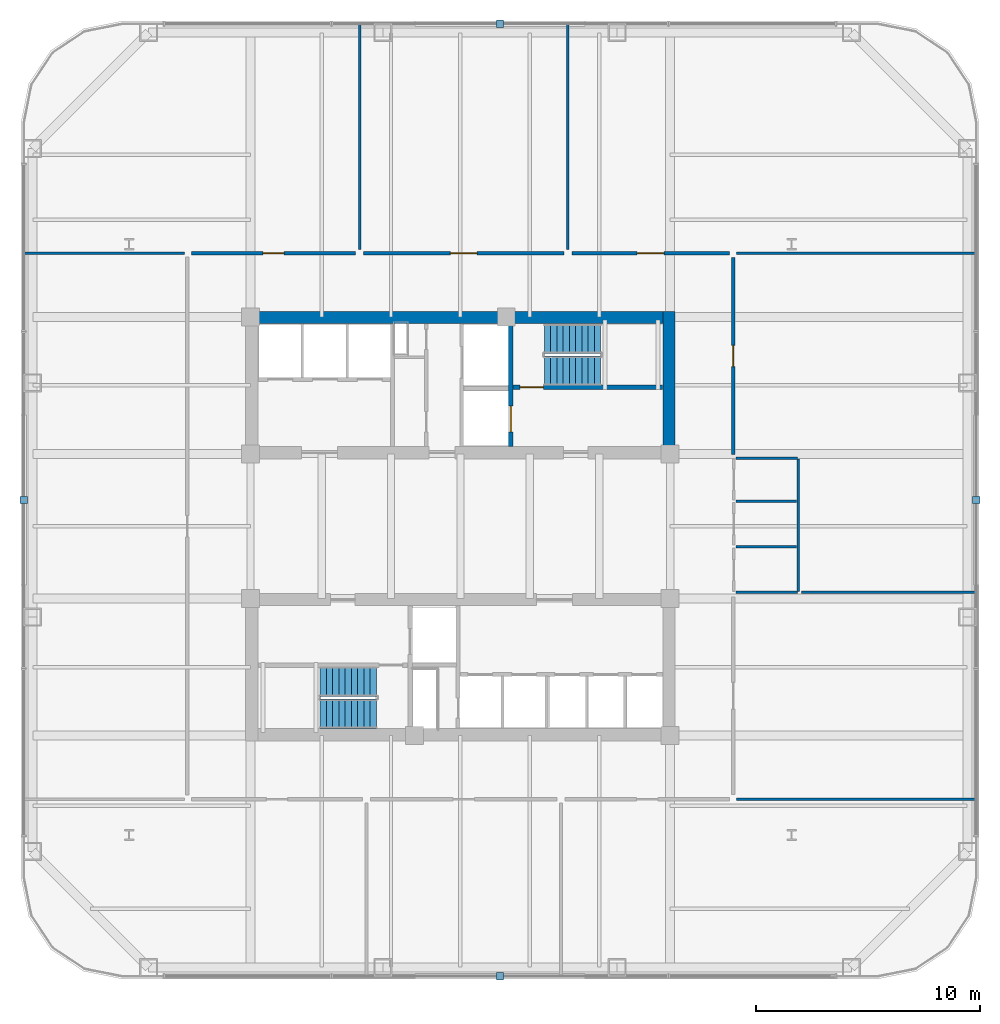
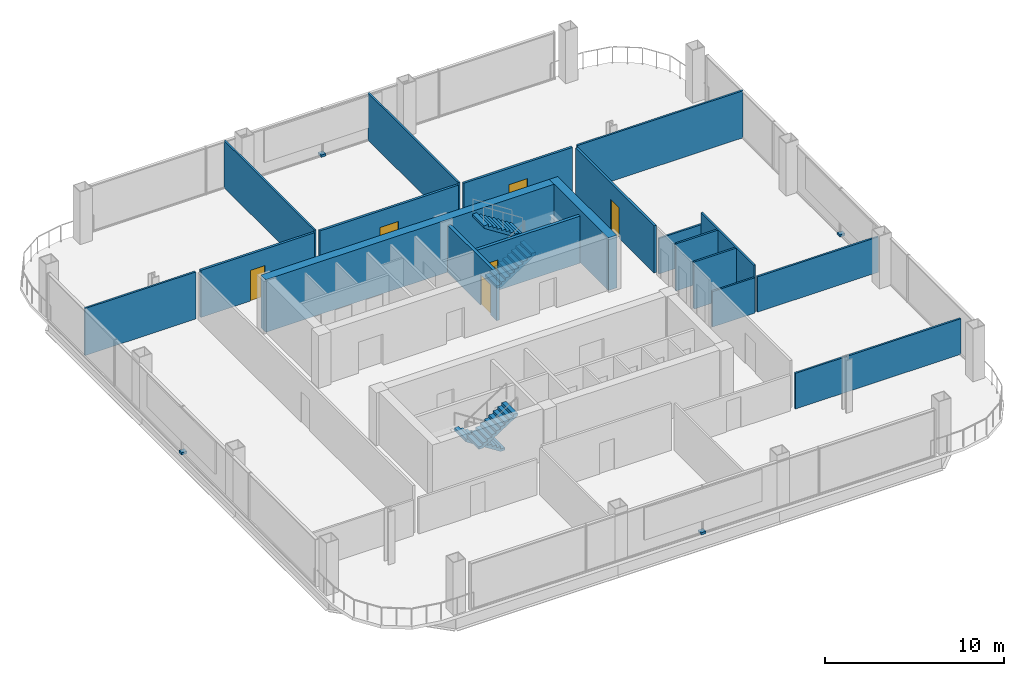
# One storey, part 21 of 24: 19 walls, 6 doors, 4 discrete accessories, 4 stair flights, 6 openings, 2 elements without a shape of their own.
"""IFC4 building model written with IfcOpenShell, lengths in metres."""

from ifc_helpers import new_model, si_unit, direction, frame, frame_2d, origin, origin_2d, place, context, subcontext, project, spatial, polyline, rectangle, outline, extrude, material, layer, layer_set, type_object, element, fill, aggregate, save


model = new_model("IFC4")

# Units and contexts
model_context = context("Model", 3, precision=1e-05, world=origin(), true_north=direction((0.0, 1.0)))
body_context = subcontext(model_context, "Body", "Model", "MODEL_VIEW")
ifc_project = project(units=[si_unit("LENGTHUNIT", "METRE"), si_unit("AREAUNIT", "SQUARE_METRE"), si_unit("VOLUMEUNIT", "CUBIC_METRE"), si_unit("PLANEANGLEUNIT", "RADIAN"), si_unit("MASSUNIT", "GRAM", prefix="KILO")], contexts=[model_context])

# Site, building, storey
site_placement = place(None, origin())
site = spatial("IfcSite", under=ifc_project, at=site_placement, CompositionType="ELEMENT")
building_placement = place(site_placement, origin())
building = spatial("IfcBuilding", under=site, at=building_placement, Name="Qhalaya Broadcast Tower", CompositionType="ELEMENT")
storey_placement = place(building_placement, frame((0.0, 0.0, 61.5)))
storey = spatial("IfcBuildingStorey", under=building, at=storey_placement, Name="L17", CompositionType="ELEMENT", Elevation=61.5)

# Wall, opening, door
ifc_material_1 = material(Name="Gypsum Acoustic Partition")
ifc_layer_1 = layer(ifc_material_1, 0.14990234375, Name="Gypsum Acoustic Partition")
ifc_layer_set_1 = layer_set([ifc_layer_1], Name="Gypsum Acoustic Partition")
wall_type_1 = type_object("IfcWallType", Name="Corridor & Tenancy Acoustic Partition 150", PredefinedType="PARTITIONING", material=ifc_layer_set_1)
wall_1_placement = place(storey_placement, frame((-12.02001953125, 12.800048828125, 0.0), z_axis=(0.0, 0.0, 1.0), x_axis=(1.0, 0.0, 0.0)))
wall_1 = element("IfcWall", 1, at=wall_1_placement, inside=storey, type_object=wall_type_1, Name="L17 Partition Wall W-COR-01", PredefinedType="PARTITIONING", context=body_context, shape_type="SweptSolid", body=[
    extrude(rectangle(XDim=7.340087890625, YDim=0.14990234375, at=frame_2d((3.669921875, 0.0))), origin(), (0.0, 0.0, 1.0), 3.219970703125),
])
opening_1_placement = place(wall_1_placement, frame((3.195068359375, 0.0, 0.0)))
opening_1 = element("IfcOpeningElement", 2, at=opening_1_placement, cuts=wall_1, Name="Opening D10", PredefinedType="OPENING", context=body_context, shape_type="SweptSolid", body=[
    extrude(rectangle(XDim=0.949951171875, YDim=2.10009765625, at=frame_2d((0.47509765625, 1.050048828125))), frame((0.0, 0.0869140625, 0.0), z_axis=(0.0, -1.0, 0.0), x_axis=(1.0, 0.0, 0.0)), (0.0, 0.0, 1.0), 0.173828125),
])
ifc_material_2 = material(Name="Timber Veneer Acoustic Door", Category="wood")
door_type_1 = type_object("IfcDoorType", Name="Cellular Office & Edit Booth Door D10", OperationType="NOTDEFINED", PredefinedType="DOOR", material=ifc_material_2)
door_1_placement = place(opening_1_placement, origin())
door_1 = element("IfcDoor", 3, at=door_1_placement, inside=storey, type_object=door_type_1, Name="L17 Door D-RM01", OperationType="SINGLE_SWING_LEFT", OverallHeight=2.10009765625, OverallWidth=0.949951171875, PredefinedType="DOOR", context=body_context, shape_type="SweptSolid", body=[
    extrude(rectangle(XDim=0.949951171875, YDim=2.10009765625, at=frame_2d((0.47509765625, 1.050048828125))), frame((0.0, 0.02490234375, 0.0), z_axis=(0.0, -1.0, 0.0), x_axis=(1.0, 0.0, 0.0)), (0.0, 0.0, 1.0), 0.050048828125),
])
fill(opening_1, door_1)

wall_2_placement = place(storey_placement, frame((-4.320068359375, 12.800048828125, 0.0), z_axis=(0.0, 0.0, 1.0), x_axis=(1.0, 0.0, 0.0)))
wall_2 = element("IfcWall", 4, at=wall_2_placement, inside=storey, type_object=wall_type_1, Name="L17 Partition Wall W-COR-02", PredefinedType="PARTITIONING", context=body_context, shape_type="SweptSolid", body=[
    extrude(rectangle(XDim=8.940185546875, YDim=0.14990234375, at=frame_2d((4.47021484375, 0.0))), origin(), (0.0, 0.0, 1.0), 3.219970703125),
])
opening_2_placement = place(wall_2_placement, frame((3.8701171875, 0.0, 0.0)))
opening_2 = element("IfcOpeningElement", 5, at=opening_2_placement, cuts=wall_2, Name="Opening D11", PredefinedType="OPENING", context=body_context, shape_type="SweptSolid", body=[
    extrude(rectangle(XDim=1.199951171875, YDim=2.10009765625, at=frame_2d((0.60009765625, 1.050048828125))), frame((0.0, 0.0869140625, 0.0), z_axis=(0.0, -1.0, 0.0), x_axis=(1.0, 0.0, 0.0)), (0.0, 0.0, 1.0), 0.173828125),
])
ifc_material_3 = material(Name="Anodised Aluminium Glazed Door", Category="aluminium")
door_type_2 = type_object("IfcDoorType", Name="Conference, Boardroom & Studio Control Door D11", OperationType="NOTDEFINED", PredefinedType="DOOR", material=ifc_material_3)
door_2_placement = place(opening_2_placement, origin())
door_2 = element("IfcDoor", 6, at=door_2_placement, inside=storey, type_object=door_type_2, Name="L17 Door D-RM02", OperationType="SINGLE_SWING_RIGHT", OverallHeight=2.10009765625, OverallWidth=1.199951171875, PredefinedType="DOOR", context=body_context, shape_type="SweptSolid", body=[
    extrude(rectangle(XDim=1.199951171875, YDim=2.10009765625, at=frame_2d((0.60009765625, 1.050048828125))), frame((0.0, 0.02490234375, 0.0), z_axis=(0.0, -1.0, 0.0), x_axis=(1.0, 0.0, 0.0)), (0.0, 0.0, 1.0), 0.050048828125),
])
fill(opening_2, door_2)

wall_3_placement = place(storey_placement, frame((4.97998046875, 12.800048828125, 0.0), z_axis=(0.0, 0.0, 1.0), x_axis=(1.0, 0.0, 0.0)))
wall_3 = element("IfcWall", 7, at=wall_3_placement, inside=storey, type_object=wall_type_1, Name="L17 Partition Wall W-COR-03", PredefinedType="PARTITIONING", context=body_context, shape_type="SweptSolid", body=[
    extrude(rectangle(XDim=7.0400390625, YDim=0.14990234375, at=frame_2d((3.52001953125, 0.0))), origin(), (0.0, 0.0, 1.0), 3.219970703125),
])
opening_3_placement = place(wall_3_placement, frame((2.919921875, 0.0, 0.0)))
opening_3 = element("IfcOpeningElement", 8, at=opening_3_placement, cuts=wall_3, Name="Opening D11", PredefinedType="OPENING", context=body_context, shape_type="SweptSolid", body=[
    extrude(rectangle(XDim=1.199951171875, YDim=2.10009765625, at=frame_2d((0.60009765625, 1.050048828125))), frame((0.0, 0.0869140625, 0.0), z_axis=(0.0, -1.0, 0.0), x_axis=(1.0, 0.0, 0.0)), (0.0, 0.0, 1.0), 0.173828125),
])
door_3_placement = place(opening_3_placement, origin())
door_3 = element("IfcDoor", 9, at=door_3_placement, inside=storey, type_object=door_type_2, Name="L17 Door D-RM03", OperationType="SINGLE_SWING_LEFT", OverallHeight=2.10009765625, OverallWidth=1.199951171875, PredefinedType="DOOR", context=body_context, shape_type="SweptSolid", body=[
    extrude(rectangle(XDim=1.199951171875, YDim=2.10009765625, at=frame_2d((0.60009765625, 1.050048828125))), frame((0.0, 0.02490234375, 0.0), z_axis=(0.0, -1.0, 0.0), x_axis=(1.0, 0.0, 0.0)), (0.0, 0.0, 1.0), 0.050048828125),
])
fill(opening_3, door_3)

wall_4_placement = place(storey_placement, frame((12.199951171875, 3.800048828125, 0.0), z_axis=(0.0, 0.0, 1.0), x_axis=(0.0, 1.0, 0.0)))
wall_4 = element("IfcWall", 10, at=wall_4_placement, inside=storey, type_object=wall_type_1, Name="L17 Partition Wall W-COR-09", PredefinedType="PARTITIONING", context=body_context, shape_type="SweptSolid", body=[
    extrude(rectangle(XDim=8.800048828125, YDim=0.14990234375, at=frame_2d((4.39990234375, 0.0))), origin(), (0.0, 0.0, 1.0), 3.219970703125),
])
opening_4_placement = place(wall_4_placement, frame((3.925048828125, 0.0, 0.0)))
opening_4 = element("IfcOpeningElement", 11, at=opening_4_placement, cuts=wall_4, Name="Opening D10", PredefinedType="OPENING", context=body_context, shape_type="SweptSolid", body=[
    extrude(rectangle(XDim=0.949951171875, YDim=2.10009765625, at=frame_2d((0.47509765625, 1.050048828125))), frame((0.0, 0.0869140625, 0.0), z_axis=(0.0, -1.0, 0.0), x_axis=(1.0, 0.0, 0.0)), (0.0, 0.0, 1.0), 0.173828125),
])
door_4_placement = place(opening_4_placement, origin())
door_4 = element("IfcDoor", 12, at=door_4_placement, inside=storey, type_object=door_type_1, Name="L17 Door D-RM09", OperationType="SINGLE_SWING_LEFT", OverallHeight=2.10009765625, OverallWidth=0.949951171875, PredefinedType="DOOR", context=body_context, shape_type="SweptSolid", body=[
    extrude(rectangle(XDim=0.949951171875, YDim=2.10009765625, at=frame_2d((0.47509765625, 1.050048828125))), frame((0.0, 0.02490234375, 0.0), z_axis=(0.0, -1.0, 0.0), x_axis=(1.0, 0.0, 0.0)), (0.0, 0.0, 1.0), 0.050048828125),
])
fill(opening_4, door_4)

ifc_material_4 = material(Name="Concrete C50/60", Category="concrete")
ifc_layer_2 = layer(ifc_material_4, 0.199951171875, Name="Concrete C50/60")
ifc_layer_set_2 = layer_set([ifc_layer_2], Name="Concrete C50/60")
wall_type_2 = type_object("IfcWallType", Name="Load-Bearing Stair Shaft Wall 200", PredefinedType="SHEAR", material=ifc_layer_set_2)
wall_5_placement = place(storey_placement, frame((2.360107421875, 6.804931640625, 0.0), z_axis=(0.0, 0.0, 1.0), x_axis=(1.0, 0.0, 0.0)))
wall_5 = element("IfcWall", 13, at=wall_5_placement, inside=storey, type_object=wall_type_2, Name="L17 Stair Core Shear Wall NCW-ST1", PredefinedType="SHEAR", context=body_context, shape_type="SweptSolid", body=[
    extrude(rectangle(XDim=6.669921875, YDim=0.199951171875, at=frame_2d((3.3349609375, 0.0))), origin(), (0.0, 0.0, 1.0), 3.219970703125),
])
opening_5_placement = place(wall_5_placement, frame((0.300048828125, 0.0, 0.0)))
opening_5 = element("IfcOpeningElement", 14, at=opening_5_placement, cuts=wall_5, Name="Opening D03", PredefinedType="OPENING", context=body_context, shape_type="SweptSolid", body=[
    extrude(rectangle(XDim=1.050048828125, YDim=2.080078125, at=frame_2d((0.52490234375, 1.0400390625))), frame((0.0, 0.112060546875, 0.0), z_axis=(0.0, -1.0, 0.0), x_axis=(1.0, 0.0, 0.0)), (0.0, 0.0, 1.0), 0.223876953125),
])
ifc_material_5 = material(Name="Fire-Rated Steel Door", Category="steel")
door_type_3 = type_object("IfcDoorType", Name="Core Stair Protected Fire Door D03", OperationType="NOTDEFINED", PredefinedType="DOOR", material=ifc_material_5)
door_5_placement = place(opening_5_placement, origin())
door_5 = element("IfcDoor", 15, at=door_5_placement, inside=storey, type_object=door_type_3, Name="L17 Door D-NST1", OperationType="SINGLE_SWING_LEFT", OverallHeight=2.080078125, OverallWidth=1.050048828125, PredefinedType="DOOR", context=body_context, shape_type="SweptSolid", body=[
    extrude(rectangle(XDim=1.050048828125, YDim=2.080078125, at=frame_2d((0.52490234375, 1.0400390625))), frame((0.0, 0.02490234375, 0.0), z_axis=(0.0, -1.0, 0.0), x_axis=(1.0, 0.0, 0.0)), (0.0, 0.0, 1.0), 0.050048828125),
])
fill(opening_5, door_5)

wall_6_placement = place(storey_placement, frame((2.25, 4.169921875, 0.0), z_axis=(0.0, 0.0, 1.0), x_axis=(0.0, 1.0, 0.0)))
wall_6 = element("IfcWall", 16, at=wall_6_placement, inside=storey, type_object=wall_type_2, Name="L17 Stair Core Shear Wall NCW-FF", PredefinedType="SHEAR", context=body_context, shape_type="SweptSolid", body=[
    extrude(rectangle(XDim=5.4599609375, YDim=0.199951171875, at=frame_2d((2.72998046875, 0.0))), origin(), (0.0, 0.0, 1.0), 3.219970703125),
])
opening_6_placement = place(wall_6_placement, frame((0.64990234375, 0.0, 0.0)))
opening_6 = element("IfcOpeningElement", 17, at=opening_6_placement, cuts=wall_6, Name="Opening LD2", PredefinedType="OPENING", context=body_context, shape_type="SweptSolid", body=[
    extrude(rectangle(XDim=1.14990234375, YDim=2.080078125, at=frame_2d((0.574951171875, 1.0400390625))), frame((0.0, 0.112060546875, 0.0), z_axis=(0.0, -1.0, 0.0), x_axis=(1.0, 0.0, 0.0)), (0.0, 0.0, 1.0), 0.223876953125),
])
ifc_material_6 = material(Name="Brushed Stainless Steel Lift Door", Category="steel")
door_type_4 = type_object("IfcDoorType", Name="Firefighting Lift Sliding Landing Door LD2", OperationType="DOUBLE_DOOR_SLIDING", PredefinedType="DOOR", material=ifc_material_6)
door_6_placement = place(opening_6_placement, origin())
door_6 = element("IfcDoor", 18, at=door_6_placement, inside=storey, type_object=door_type_4, Name="L17 Door LD-FF1", OperationType="DOUBLE_DOOR_SLIDING", OverallHeight=2.080078125, OverallWidth=1.14990234375, PredefinedType="DOOR", context=body_context, shape_type="SweptSolid", body=[
    extrude(rectangle(XDim=1.14990234375, YDim=2.080078125, at=frame_2d((0.574951171875, 1.0400390625))), frame((0.0, 0.02490234375, 0.0), z_axis=(0.0, -1.0, 0.0), x_axis=(1.0, 0.0, 0.0)), (0.0, 0.0, 1.0), 0.050048828125),
])
fill(opening_6, door_6)

# Walls
ifc_material_7 = material(Name="Concrete C60/75", Category="concrete")
ifc_layer_3 = layer(ifc_material_7, 0.550048828125, Name="Concrete C60/75")
ifc_layer_set_3 = layer_set([ifc_layer_3], Name="Concrete C60/75")
wall_type_3 = type_object("IfcWallType", Name="Lower Split-Core Shear Wall 550", PredefinedType="SHEAR", material=ifc_layer_set_3)
wall_7_placement = place(storey_placement, frame((-9.60009765625, 9.925048828125, 0.0), z_axis=(0.0, 0.0, 1.0), x_axis=(1.0, 0.0, 0.0)))
element("IfcWall", 19, at=wall_7_placement, inside=storey, type_object=wall_type_3, Name="L17 Split-Core Shear Wall CW-NN", PredefinedType="SHEAR", context=body_context, shape_type="SweptSolid", body=[
    extrude(rectangle(XDim=19.2001953125, YDim=0.550048828125, at=frame_2d((9.60009765625, 0.0))), origin(), (0.0, 0.0, 1.0), 3.60009765625),
])
wall_8_placement = place(storey_placement, frame((9.324951171875, 3.60009765625, 0.0), z_axis=(0.0, 0.0, 1.0), x_axis=(0.0, 1.0, 0.0)))
element("IfcWall", 20, at=wall_8_placement, inside=storey, type_object=wall_type_3, Name="L17 Split-Core Shear Wall CW-NE", PredefinedType="SHEAR", context=body_context, shape_type="SweptSolid", body=[
    extrude(rectangle(XDim=6.599853515625, YDim=0.550048828125, at=frame_2d((3.2998046875, 0.0))), origin(), (0.0, 0.0, 1.0), 3.60009765625),
])
ifc_layer_4 = layer(ifc_material_1, 0.1201171875, Name="Gypsum Acoustic Partition")
ifc_layer_set_4 = layer_set([ifc_layer_4], Name="Gypsum Acoustic Partition")
wall_type_4 = type_object("IfcWallType", Name="Office, Booth & Sanitary Partition 120", PredefinedType="PARTITIONING", material=ifc_layer_set_4)
wall_9_placement = place(storey_placement, frame((15.10009765625, -2.320068359375, 0.0), z_axis=(0.0, 0.0, 1.0), x_axis=(0.0, 1.0, 0.0)))
element("IfcWall", 21, at=wall_9_placement, inside=storey, type_object=wall_type_4, Name="L17 Partition Wall W-WCE", PredefinedType="PARTITIONING", context=body_context, shape_type="SweptSolid", body=[
    extrude(rectangle(XDim=5.93017578125, YDim=0.1201171875, at=frame_2d((2.965087890625, 0.0))), origin(), (0.0, 0.0, 1.0), 3.219970703125),
])
for number, where, z_axis, x_axis, name in (
    (22, (12.31005859375, -2.35009765625, 0.0), (0.0, 0.0, 1.0), (1.0, 0.0, 0.0), "L17 Partition Wall W-WCS"),
    (23, (12.31005859375, 3.639892578125, 0.0), (0.0, 0.0, 1.0), (1.0, 0.0, 0.0), "L17 Partition Wall W-WCN"),
):
    element("IfcWall", number, at=place(storey_placement, frame(where, z_axis=z_axis, x_axis=x_axis)), inside=storey, type_object=wall_type_4, Name=name, PredefinedType="PARTITIONING", context=body_context, shape_type="SweptSolid", body=[
        extrude(rectangle(XDim=2.760009765625, YDim=0.1201171875, at=frame_2d((1.3798828125, 0.0))), origin(), (0.0, 0.0, 1.0), 2.419921875),
    ])
for number, where, z_axis, x_axis, name in (
    (24, (12.31005859375, -0.320068359375, 0.0), (0.0, 0.0, 1.0), (1.0, 0.0, 0.0), "L17 Partition Wall W-WCD1"),
    (25, (12.31005859375, 1.719970703125, 0.0), (0.0, 0.0, 1.0), (1.0, 0.0, 0.0), "L17 Partition Wall W-WCD2"),
):
    element("IfcWall", number, at=place(storey_placement, frame(where, z_axis=z_axis, x_axis=x_axis)), inside=storey, type_object=wall_type_4, Name=name, PredefinedType="PARTITIONING", context=body_context, shape_type="SweptSolid", body=[
        extrude(rectangle(XDim=2.719970703125, YDim=0.1201171875, at=frame_2d((1.35986328125, 0.0))), origin(), (0.0, 0.0, 1.0), 3.219970703125),
    ])
wall_10_placement = place(storey_placement, frame((-19.510009765625, 12.800048828125, 0.0), z_axis=(0.0, 0.0, 1.0), x_axis=(1.0, 0.0, 0.0)))
element("IfcWall", 26, at=wall_10_placement, inside=storey, type_object=wall_type_4, Name="L17 Partition Wall W-BNDW1", PredefinedType="PARTITIONING", context=body_context, shape_type="SweptSolid", body=[
    extrude(rectangle(XDim=7.169921875, YDim=0.1201171875, at=frame_2d((3.5849609375, 0.0))), origin(), (0.0, 0.0, 1.0), 3.219970703125),
])
wall_11_placement = place(storey_placement, frame((12.340087890625, 12.800048828125, 0.0), z_axis=(0.0, 0.0, 1.0), x_axis=(1.0, 0.0, 0.0)))
element("IfcWall", 27, at=wall_11_placement, inside=storey, type_object=wall_type_4, Name="L17 Partition Wall W-BNDE1", PredefinedType="PARTITIONING", context=body_context, shape_type="SweptSolid", body=[
    extrude(rectangle(XDim=10.7099609375, YDim=0.1201171875, at=frame_2d((5.35498046875, 0.0))), origin(), (0.0, 0.0, 1.0), 3.219970703125),
])
wall_12_placement = place(storey_placement, frame((12.340087890625, -11.60009765625, 0.0), z_axis=(0.0, 0.0, 1.0), x_axis=(1.0, 0.0, 0.0)))
element("IfcWall", 28, at=wall_12_placement, inside=storey, type_object=wall_type_4, Name="L17 Partition Wall W-BNDE2", PredefinedType="PARTITIONING", context=body_context, shape_type="SweptSolid", body=[
    extrude(rectangle(XDim=10.7099609375, YDim=0.1201171875, at=frame_2d((5.35498046875, 0.0))), origin(), (0.0, 0.0, 1.0), 2.43798828125),
])
for number, where, z_axis, x_axis, name in (
    (29, (-4.5, 12.9599609375, 0.0), (0.0, 0.0, 1.0), (0.0, 1.0, 0.0), "L17 Partition Wall W-DIVN1"),
    (30, (4.800048828125, 12.9599609375, 0.0), (0.0, 0.0, 1.0), (0.0, 1.0, 0.0), "L17 Partition Wall W-DIVN2"),
):
    element("IfcWall", number, at=place(storey_placement, frame(where, z_axis=z_axis, x_axis=x_axis)), inside=storey, type_object=wall_type_4, Name=name, PredefinedType="PARTITIONING", context=body_context, shape_type="SweptSolid", body=[
        extrude(rectangle(XDim=10.090087890625, YDim=0.1201171875, at=frame_2d((5.044921875, 0.0))), origin(), (0.0, 0.0, 1.0), 3.219970703125),
    ])
wall_13_placement = place(storey_placement, frame((15.239990234375, -2.35009765625, 0.0), z_axis=(0.0, 0.0, 1.0), x_axis=(1.0, 0.0, 0.0)))
element("IfcWall", 31, at=wall_13_placement, inside=storey, type_object=wall_type_4, Name="L17 Partition Wall W-DIVE-WC", PredefinedType="PARTITIONING", context=body_context, shape_type="SweptSolid", body=[
    extrude(rectangle(XDim=7.81005859375, YDim=0.1201171875, at=frame_2d((3.905029296875, 0.0))), origin(), (0.0, 0.0, 1.0), 2.419921875),
])

# Stair, stair flights
ifc_material_8 = material(Name="Concrete C40/50", Category="concrete")
stair_type = type_object("IfcStairType", Name="Protected Dogleg Core Stair 3600", PredefinedType="TWO_STRAIGHT_RUN_STAIR", material=ifc_material_8)
stair_1_placement = place(storey_placement, origin())
stair_1 = element("IfcStair", 32, at=stair_1_placement, inside=storey, type_object=stair_type, Name="L17 North Core Exit Stair ST-1", PredefinedType="TWO_STRAIGHT_RUN_STAIR")
ifc_material_9 = material(Name="Precast Concrete C40/50", Category="concrete")
stair_flight_type = type_object("IfcStairFlightType", Name="Precast Concrete Stair Flight 3600", PredefinedType="STRAIGHT", material=ifc_material_9)
stair_flight_1_placement = place(storey_placement, frame((3.75, 7.5400390625, 0.0), z_axis=(0.0, 0.0, 1.0), x_axis=(1.0, 0.0, 0.0)))
stair_flight_1 = element("IfcStairFlight", 33, at=stair_flight_1_placement, type_object=stair_flight_type, Name="ST-1 flight 1", NumberOfRisers=10, NumberOfTreads=9, PredefinedType="STRAIGHT", RiserHeight=0.18, TreadLength=0.28, context=body_context, shape_type="SweptSolid", body=[
    extrude(outline(polyline([(0.0, 0.0), (0.0, 0.179931640625), (0.280029296875, 0.179931640625), (0.280029296875, 0.360107421875), (0.56005859375, 0.360107421875), (0.56005859375, 0.5400390625), (0.840087890625, 0.5400390625), (0.840087890625, 0.719970703125), (1.1201171875, 0.719970703125), (1.1201171875, 0.89990234375), (1.39990234375, 0.89990234375), (1.39990234375, 1.080078125), (1.679931640625, 1.080078125), (1.679931640625, 1.260009765625), (1.9599609375, 1.260009765625), (1.9599609375, 1.43994140625), (2.239990234375, 1.43994140625), (2.239990234375, 1.6201171875), (2.52001953125, 1.6201171875), (2.52001953125, 1.800048828125), (2.52001953125, 1.44189453125), (0.277099609375, 0.0), (0.0, 0.0)])), frame((0.0, 0.66015625, 0.0), z_axis=(0.0, -1.0, 0.0), x_axis=(1.0, 0.0, 0.0)), (0.0, 0.0, 1.0), 1.320068359375),
])
stair_flight_2_placement = place(storey_placement, frame((6.27001953125, 8.97998046875, 1.800048828125), z_axis=(0.0, 0.0, 1.0), x_axis=(-1.0, 0.0, 0.0)))
stair_flight_2 = element("IfcStairFlight", 34, at=stair_flight_2_placement, type_object=stair_flight_type, Name="ST-1 flight 2", NumberOfRisers=10, NumberOfTreads=9, PredefinedType="STRAIGHT", RiserHeight=0.18, TreadLength=0.28, context=body_context, shape_type="SweptSolid", body=[
    extrude(outline(polyline([(0.0, 0.0), (0.0, 0.179931640625), (0.280029296875, 0.179931640625), (0.280029296875, 0.360107421875), (0.56005859375, 0.360107421875), (0.56005859375, 0.5400390625), (0.840087890625, 0.5400390625), (0.840087890625, 0.719970703125), (1.1201171875, 0.719970703125), (1.1201171875, 0.89990234375), (1.39990234375, 0.89990234375), (1.39990234375, 1.080078125), (1.679931640625, 1.080078125), (1.679931640625, 1.260009765625), (1.9599609375, 1.260009765625), (1.9599609375, 1.43994140625), (2.239990234375, 1.43994140625), (2.239990234375, 1.6201171875), (2.52001953125, 1.6201171875), (2.52001953125, 1.800048828125), (2.52001953125, 1.44189453125), (0.277099609375, 0.0), (0.0, 0.0)])), frame((0.0, 0.66015625, 0.0), z_axis=(0.0, -1.0, 0.0), x_axis=(1.0, 0.0, 0.0)), (0.0, 0.0, 1.0), 1.320068359375),
])
aggregate(stair_1, [stair_flight_1, stair_flight_2])

stair_2_placement = place(storey_placement, origin())
stair_2 = element("IfcStair", 35, at=stair_2_placement, inside=storey, type_object=stair_type, Name="L17 South Core Exit Stair ST-2", PredefinedType="TWO_STRAIGHT_RUN_STAIR")
stair_flight_3_placement = place(storey_placement, frame((-3.75, -6.340087890625, 0.0), z_axis=(0.0, 0.0, 1.0), x_axis=(-1.0, 0.0, 0.0)))
stair_flight_3 = element("IfcStairFlight", 36, at=stair_flight_3_placement, type_object=stair_flight_type, Name="ST-2 flight 1", NumberOfRisers=10, NumberOfTreads=9, PredefinedType="STRAIGHT", RiserHeight=0.18, TreadLength=0.28, context=body_context, shape_type="SweptSolid", body=[
    extrude(outline(polyline([(0.0, 0.0), (0.0, 0.179931640625), (0.280029296875, 0.179931640625), (0.280029296875, 0.360107421875), (0.56005859375, 0.360107421875), (0.56005859375, 0.5400390625), (0.840087890625, 0.5400390625), (0.840087890625, 0.719970703125), (1.1201171875, 0.719970703125), (1.1201171875, 0.89990234375), (1.39990234375, 0.89990234375), (1.39990234375, 1.080078125), (1.679931640625, 1.080078125), (1.679931640625, 1.260009765625), (1.9599609375, 1.260009765625), (1.9599609375, 1.43994140625), (2.239990234375, 1.43994140625), (2.239990234375, 1.6201171875), (2.52001953125, 1.6201171875), (2.52001953125, 1.800048828125), (2.52001953125, 1.44189453125), (0.277099609375, 0.0), (0.0, 0.0)])), frame((0.0, 0.66015625, 0.0), z_axis=(0.0, -1.0, 0.0), x_axis=(1.0, 0.0, 0.0)), (0.0, 0.0, 1.0), 1.320068359375),
])
stair_flight_4_placement = place(storey_placement, frame((-6.27001953125, -7.780029296875, 1.800048828125), z_axis=(0.0, 0.0, 1.0), x_axis=(1.0, 0.0, 0.0)))
stair_flight_4 = element("IfcStairFlight", 37, at=stair_flight_4_placement, type_object=stair_flight_type, Name="ST-2 flight 2", NumberOfRisers=10, NumberOfTreads=9, PredefinedType="STRAIGHT", RiserHeight=0.18, TreadLength=0.28, context=body_context, shape_type="SweptSolid", body=[
    extrude(outline(polyline([(0.0, 0.0), (0.0, 0.179931640625), (0.280029296875, 0.179931640625), (0.280029296875, 0.360107421875), (0.56005859375, 0.360107421875), (0.56005859375, 0.5400390625), (0.840087890625, 0.5400390625), (0.840087890625, 0.719970703125), (1.1201171875, 0.719970703125), (1.1201171875, 0.89990234375), (1.39990234375, 0.89990234375), (1.39990234375, 1.080078125), (1.679931640625, 1.080078125), (1.679931640625, 1.260009765625), (1.9599609375, 1.260009765625), (1.9599609375, 1.43994140625), (2.239990234375, 1.43994140625), (2.239990234375, 1.6201171875), (2.52001953125, 1.6201171875), (2.52001953125, 1.800048828125), (2.52001953125, 1.44189453125), (0.277099609375, 0.0), (0.0, 0.0)])), frame((0.0, 0.66015625, 0.0), z_axis=(0.0, -1.0, 0.0), x_axis=(1.0, 0.0, 0.0)), (0.0, 0.0, 1.0), 1.320068359375),
])
aggregate(stair_2, [stair_flight_3, stair_flight_4])

# Discrete accessories
ifc_material_10 = material(Name="Structural Steel ASTM A572 Grade 50", Category="steel")
discrete_accessory_type = type_object("IfcDiscreteAccessoryType", Name="Facade Baguette Support Bracket BRK-01", PredefinedType="BRACKET", material=ifc_material_10)
for number, where, z_axis, x_axis, name in (
    (38, (1.77001953125, -19.510009765625, 0.0), (0.0, 0.0, 1.0), (1.0, 0.0, 0.0), "L17 Baguette Support Bracket S"),
    (39, (23.050048828125, 1.77001953125, 0.0), (0.0, 0.0, 1.0), (0.0, 1.0, 0.0), "L17 Baguette Support Bracket E"),
    (40, (1.77001953125, 23.050048828125, 0.0), (0.0, 0.0, 1.0), (-1.0, 0.0, 0.0), "L17 Baguette Support Bracket N"),
    (41, (-19.510009765625, 1.77001953125, 0.0), (0.0, 0.0, 1.0), (0.0, -1.0, 0.0), "L17 Baguette Support Bracket W"),
):
    element("IfcDiscreteAccessory", number, at=place(storey_placement, frame(where, z_axis=z_axis, x_axis=x_axis)), inside=storey, type_object=discrete_accessory_type, Name=name, PredefinedType="BRACKET", context=body_context, shape_type="SweptSolid", body=[
        extrude(rectangle(XDim=0.300048828125, YDim=0.340087890625, at=origin_2d()), origin(), (0.0, 0.0, 1.0), 0.159912109375),
    ])

save(model, "model.ifc")
